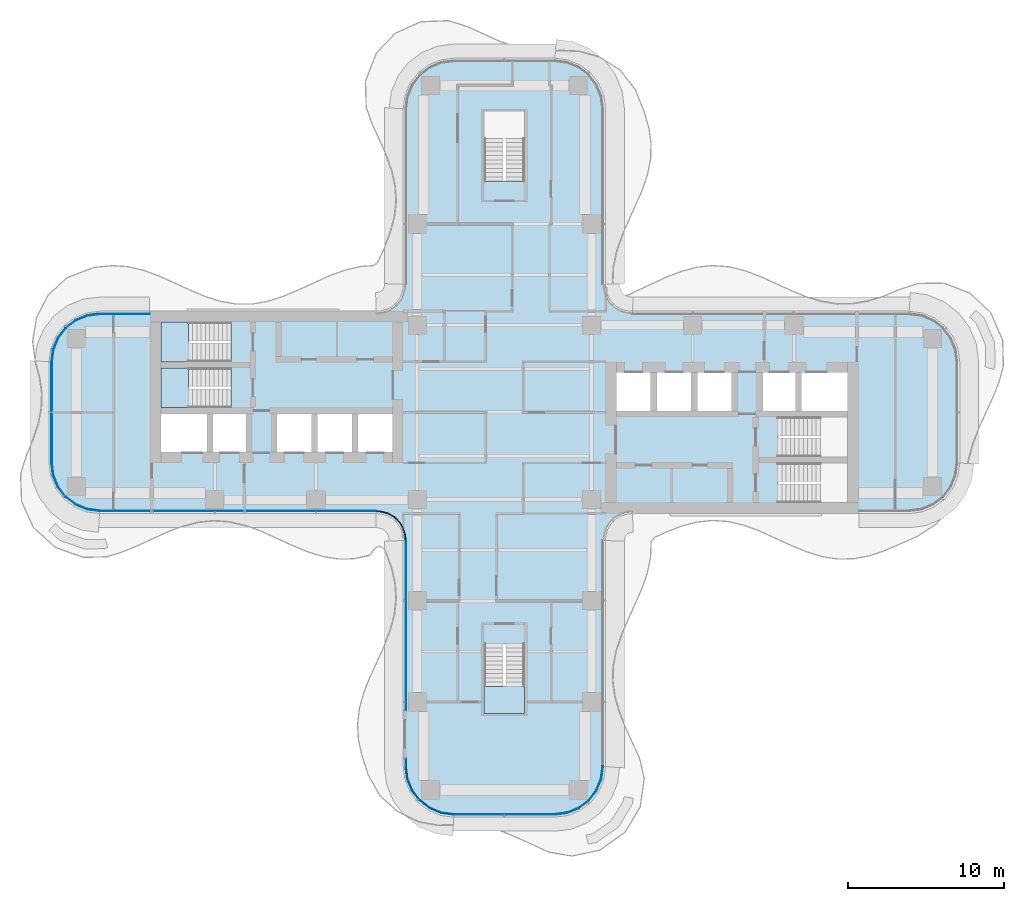
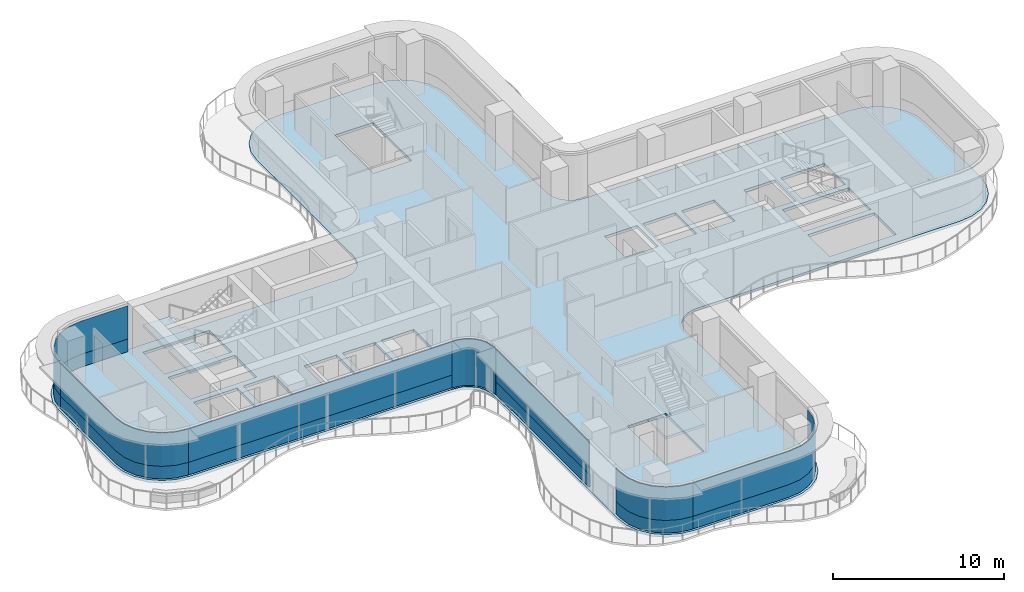
# One storey, part 9 of 17: 13 plates, 4 slabs, 10 elements without a shape of their own.
"""IFC4 building model written with IfcOpenShell, lengths in metres."""

from ifc_helpers import new_model, si_unit, direction, frame, origin, place, context, subcontext, project, spatial, polyline, outline, extrude, source, transform, mapped, material, layer, layer_set, type_object, element, aggregate, save


model = new_model("IFC4")

# Units and contexts
model_context = context("Model", 3, precision=1e-05, world=origin(), true_north=direction((0.0, 1.0)))
body_context = subcontext(model_context, "Body", "Model", "MODEL_VIEW")
ifc_project = project(units=[si_unit("LENGTHUNIT", "METRE"), si_unit("AREAUNIT", "SQUARE_METRE"), si_unit("VOLUMEUNIT", "CUBIC_METRE"), si_unit("PLANEANGLEUNIT", "RADIAN"), si_unit("MASSUNIT", "GRAM", prefix="KILO")], contexts=[model_context])

# Site, building, storey
site_placement = place(None, origin())
site = spatial("IfcSite", under=ifc_project, at=site_placement, CompositionType="ELEMENT")
building_placement = place(site_placement, origin())
building = spatial("IfcBuilding", under=site, at=building_placement, Name="Trellis Farm Tower", CompositionType="ELEMENT")
storey_placement = place(building_placement, frame((0.0, 0.0, 208.800048828125)))
storey = spatial("IfcBuildingStorey", under=building, at=storey_placement, Name="L46", CompositionType="ELEMENT", Elevation=208.800048828125)

# Curtain wall, plate
ifc_material_1 = material(Name="Aluminium and glass curtain wall", Category="aluminium")
ifc_layer_1 = layer(ifc_material_1, 0.18994140625)
ifc_layer_set_1 = layer_set([ifc_layer_1], Name="RIBBON CURTAIN WALL CW1")
curtain_wall_type_1 = type_object("IfcCurtainWallType", Name="RIBBON CURTAIN WALL CW1", PredefinedType="NOTDEFINED", material=ifc_layer_set_1)
placement_1 = place(storey_placement, origin())
curtain_wall_1 = element("IfcCurtainWall", 1, at=placement_1, inside=storey, type_object=curtain_wall_type_1, Name="CW1 002", PredefinedType="NOTDEFINED")
ifc_material_2 = material(Name="Clear insulated glass", Category="glass")
ifc_layer_2 = layer(ifc_material_2, 0.0400390625)
ifc_layer_set_2 = layer_set([ifc_layer_2], Name="CW1 GLASS PANEL 40")
plate_type_1 = type_object("IfcPlateType", Name="CW1 GLASS PANEL 40", PredefinedType="CURTAIN_PANEL", material=ifc_layer_set_2)
placement_2 = place(storey_placement, frame((0.0, 0.0, 0.89990234375)))
plate_1 = element("IfcPlate", 2, at=placement_2, type_object=plate_type_1, Name="PL1 002", PredefinedType="CURTAIN_PANEL", context=body_context, shape_type="SweptSolid", body=[
    extrude(outline(polyline([(-6.35009765625, -8.2265625), (-6.35009765625, -19.114990234375), (-6.31005859375, -19.114990234375), (-6.31005859375, -8.22509765625), (-6.35009765625, -8.2265625)])), origin(), (0.0, 0.0, 1.0), 2.3701171875),
])

curtain_wall_2 = element("IfcCurtainWall", 3, at=placement_1, inside=storey, type_object=curtain_wall_type_1, Name="CW1 003", PredefinedType="NOTDEFINED")
plate_2 = element("IfcPlate", 4, at=placement_2, type_object=plate_type_1, Name="PL1 003", PredefinedType="CURTAIN_PANEL", context=body_context, shape_type="SweptSolid", body=[
    extrude(outline(polyline([(-6.35009765625, -22.235107421875), (-6.35009765625, -22.740234375), (-6.2431640625, -23.552001953125), (-5.93359375, -24.29931640625), (-5.441162109375, -24.941162109375), (-4.79931640625, -25.43359375), (-4.052001953125, -25.7431640625), (-3.240234375, -25.85009765625), (-3.237548828125, -25.81005859375), (-4.04150390625, -25.7041015625), (-4.779296875, -25.398681640625), (-5.41259765625, -24.91259765625), (-5.898681640625, -24.279296875), (-6.2041015625, -23.54150390625), (-6.31005859375, -22.737548828125), (-6.31005859375, -22.235107421875), (-6.35009765625, -22.235107421875)])), origin(), (0.0, 0.0, 1.0), 2.3701171875),
])

curtain_wall_3 = element("IfcCurtainWall", 5, at=placement_1, inside=storey, type_object=curtain_wall_type_1, Name="CW1 004", PredefinedType="NOTDEFINED")
plate_3 = element("IfcPlate", 6, at=placement_2, type_object=plate_type_1, Name="PL1 004", PredefinedType="CURTAIN_PANEL", context=body_context, shape_type="SweptSolid", body=[
    extrude(outline(polyline([(-3.240234375, -25.85009765625), (3.240234375, -25.85009765625), (4.052001953125, -25.7431640625), (4.79931640625, -25.43359375), (5.441162109375, -24.941162109375), (5.93359375, -24.29931640625), (6.2431640625, -23.552001953125), (6.35009765625, -22.740234375), (6.31005859375, -22.737548828125), (6.2041015625, -23.54150390625), (5.898681640625, -24.279296875), (5.41259765625, -24.91259765625), (4.779296875, -25.398681640625), (4.04150390625, -25.7041015625), (3.237548828125, -25.81005859375), (-3.237548828125, -25.81005859375), (-3.240234375, -25.85009765625)])), origin(), (0.0, 0.0, 1.0), 2.3701171875),
])

# Slab
ifc_material_3 = material(Name="Concrete C40/50", Category="concrete")
ifc_layer_3 = layer(ifc_material_3, 0.199951171875)
ifc_layer_set_3 = layer_set([ifc_layer_3], Name="Composite deck floor slab 200")
slab_type_1 = type_object("IfcSlabType", Name="Composite deck floor slab 200", PredefinedType="FLOOR", material=ifc_layer_set_3)
shared_shape_1 = source(origin(), body_context, "Body", "SweptSolid", [
    extrude(outline(polyline([(-26.84130859375, -6.389404296875), (-27.625, -6.064697265625), (-28.298095703125, -5.548095703125), (-28.814697265625, -4.875), (-29.139404296875, -4.09130859375), (-29.25, -3.25), (-29.25, 3.25), (-29.139404296875, 4.09130859375), (-28.814697265625, 4.875), (-28.298095703125, 5.548095703125), (-27.625, 6.064697265625), (-26.84130859375, 6.389404296875), (-26.0, 6.5), (-8.2314453125, 6.5), (-8.01953125, 6.513916015625), (-7.91552734375, 6.527587890625), (-7.508544921875, 6.63671875), (-7.144287109375, 6.846923828125), (-6.846923828125, 7.144287109375), (-6.63671875, 7.508544921875), (-6.527587890625, 7.91552734375), (-6.513916015625, 8.01953125), (-6.5, 8.2314453125), (-6.5, 19.5), (-6.389404296875, 20.34130859375), (-6.064697265625, 21.125), (-5.548095703125, 21.798095703125), (-4.875, 22.314697265625), (-4.09130859375, 22.639404296875), (-3.25, 22.75), (3.25, 22.75), (4.09130859375, 22.639404296875), (4.875, 22.314697265625), (5.548095703125, 21.798095703125), (6.064697265625, 21.125), (6.389404296875, 20.34130859375), (6.5, 19.5), (6.5, 8.2314453125), (6.513916015625, 8.01953125), (6.527587890625, 7.91552734375), (6.63671875, 7.508544921875), (6.846923828125, 7.144287109375), (7.144287109375, 6.846923828125), (7.508544921875, 6.63671875), (7.91552734375, 6.527587890625), (8.01953125, 6.513916015625), (8.2314453125, 6.5), (26.0, 6.5), (26.84130859375, 6.389404296875), (27.625, 6.064697265625), (28.298095703125, 5.548095703125), (28.814697265625, 4.875), (29.139404296875, 4.09130859375), (29.25, 3.25), (29.25, -3.25), (29.139404296875, -4.09130859375), (28.814697265625, -4.875), (28.298095703125, -5.548095703125), (27.625, -6.064697265625), (26.84130859375, -6.389404296875), (26.0, -6.5), (8.2314453125, -6.5), (8.01953125, -6.513916015625), (7.91552734375, -6.527587890625), (7.508544921875, -6.63671875), (7.144287109375, -6.846923828125), (6.846923828125, -7.144287109375), (6.63671875, -7.508544921875), (6.527587890625, -7.91552734375), (6.513916015625, -8.01953125), (6.5, -8.2314453125), (6.5, -22.75), (6.389404296875, -23.59130859375), (6.064697265625, -24.375), (5.548095703125, -25.048095703125), (4.875, -25.564697265625), (4.09130859375, -25.889404296875), (3.25, -26.0), (-3.25, -26.0), (-4.09130859375, -25.889404296875), (-4.875, -25.564697265625), (-5.548095703125, -25.048095703125), (-6.064697265625, -24.375), (-6.389404296875, -23.59130859375), (-6.5, -22.75), (-6.5, -8.2314453125), (-6.513916015625, -8.01953125), (-6.527587890625, -7.91552734375), (-6.63671875, -7.508544921875), (-6.846923828125, -7.144287109375), (-7.144287109375, -6.846923828125), (-7.508544921875, -6.63671875), (-7.91552734375, -6.527587890625), (-8.01953125, -6.513916015625), (-8.2314453125, -6.5), (-26.0, -6.5), (-26.84130859375, -6.389404296875)]), holes=[polyline([(-22.050048828125, -0.10009765625), (-22.050048828125, -2.550048828125), (-19.10009765625, -2.550048828125), (-19.10009765625, -0.10009765625), (-22.050048828125, -0.10009765625)]), polyline([(-18.699951171875, -0.10009765625), (-18.699951171875, -2.550048828125), (-16.60009765625, -2.550048828125), (-16.60009765625, -0.10009765625), (-18.699951171875, -0.10009765625)]), polyline([(-14.60009765625, -0.10009765625), (-14.60009765625, -2.550048828125), (-12.39990234375, -2.550048828125), (-12.39990234375, -0.10009765625), (-14.60009765625, -0.10009765625)]), polyline([(-12.0, -0.10009765625), (-12.0, -2.550048828125), (-9.800048828125, -2.550048828125), (-9.800048828125, -0.10009765625), (-12.0, -0.10009765625)]), polyline([(-9.39990234375, -0.10009765625), (-9.39990234375, -2.550048828125), (-7.199951171875, -2.550048828125), (-7.199951171875, -0.10009765625), (-9.39990234375, -0.10009765625)]), polyline([(-17.56201171875, 1.64990234375), (-17.56201171875, 2.85009765625), (-22.050048828125, 2.85009765625), (-22.050048828125, 0.300048828125), (-17.56005859375, 0.300048828125), (-17.56005859375, 1.5), (-17.550048828125, 1.5), (-17.550048828125, 1.64990234375), (-17.56201171875, 1.64990234375)]), polyline([(-17.56201171875, 4.60009765625), (-17.56201171875, 5.800048828125), (-22.050048828125, 5.800048828125), (-22.050048828125, 3.25), (-17.56005859375, 3.25), (-17.56005859375, 4.449951171875), (-17.550048828125, 4.449951171875), (-17.550048828125, 4.60009765625), (-17.56201171875, 4.60009765625)]), polyline([(0.10009765625, 14.862060546875), (1.300048828125, 14.862060546875), (1.300048828125, 19.35009765625), (-1.300048828125, 19.35009765625), (-1.300048828125, 14.860107421875), (-0.10009765625, 14.860107421875), (-0.10009765625, 14.85009765625), (0.10009765625, 14.85009765625), (0.10009765625, 14.862060546875)]), polyline([(-0.10009765625, -14.862060546875), (-1.300048828125, -14.862060546875), (-1.300048828125, -19.35009765625), (1.300048828125, -19.35009765625), (1.300048828125, -14.860107421875), (0.10009765625, -14.860107421875), (0.10009765625, -14.85009765625), (-0.10009765625, -14.85009765625), (-0.10009765625, -14.862060546875)]), polyline([(17.56201171875, -4.60009765625), (17.56201171875, -5.800048828125), (22.050048828125, -5.800048828125), (22.050048828125, -3.25), (17.56005859375, -3.25), (17.56005859375, -4.449951171875), (17.550048828125, -4.449951171875), (17.550048828125, -4.60009765625), (17.56201171875, -4.60009765625)]), polyline([(17.56201171875, -1.64990234375), (17.56201171875, -2.85009765625), (22.050048828125, -2.85009765625), (22.050048828125, -0.300048828125), (17.56005859375, -0.300048828125), (17.56005859375, -1.5), (17.550048828125, -1.5), (17.550048828125, -1.64990234375), (17.56201171875, -1.64990234375)]), polyline([(9.39990234375, 0.10009765625), (9.39990234375, 2.550048828125), (7.199951171875, 2.550048828125), (7.199951171875, 0.10009765625), (9.39990234375, 0.10009765625)]), polyline([(12.0, 0.10009765625), (12.0, 2.550048828125), (9.800048828125, 2.550048828125), (9.800048828125, 0.10009765625), (12.0, 0.10009765625)]), polyline([(14.60009765625, 0.10009765625), (14.60009765625, 2.550048828125), (12.39990234375, 2.550048828125), (12.39990234375, 0.10009765625), (14.60009765625, 0.10009765625)]), polyline([(18.699951171875, 0.10009765625), (18.699951171875, 2.550048828125), (16.60009765625, 2.550048828125), (16.60009765625, 0.10009765625), (18.699951171875, 0.10009765625)]), polyline([(22.050048828125, 0.10009765625), (22.050048828125, 2.550048828125), (19.10009765625, 2.550048828125), (19.10009765625, 0.10009765625), (22.050048828125, 0.10009765625)])]), origin(), (0.0, 0.0, 1.0), 0.199951171875),
])
slab_1_placement = place(storey_placement, frame((0.0, 0.0, -0.199951171875)))
element("IfcSlab", 7, at=slab_1_placement, inside=storey, type_object=slab_type_1, Name="Floor slab", PredefinedType="FLOOR", context=body_context, shape_type="MappedRepresentation", body=[
    mapped(shared_shape_1, transform((0.0, 0.0, 0.0))),
])

# Stair, slab
ifc_material_4 = material(Name="Concrete C50/60", Category="concrete")
stair_type = type_object("IfcStairType", Name="CORE EXIT STAIR 22 RISERS 177 MM", PredefinedType="HALF_TURN_STAIR", material=ifc_material_4)
stair_1 = element("IfcStair", 8, at=placement_1, inside=storey, type_object=stair_type, Name="Exit stair S", PredefinedType="HALF_TURN_STAIR")
ifc_layer_4 = layer(ifc_material_4, 0.18994140625)
ifc_layer_set_4 = layer_set([ifc_layer_4], Name="CORE STAIR LANDING 190 CONCRETE C50/60")
slab_type_2 = type_object("IfcSlabType", Name="CORE STAIR LANDING 190 CONCRETE C50/60", PredefinedType="LANDING", material=ifc_layer_set_4)
shared_shape_2 = source(origin(), body_context, "Body", "SweptSolid", [
    extrude(outline(polyline([(1.300048828125, -19.35009765625), (-1.300048828125, -19.35009765625), (-1.300048828125, -17.60009765625), (-1.300048828125, -17.590087890625), (-0.10009765625, -17.590087890625), (-0.10009765625, -17.60009765625), (0.10009765625, -17.60009765625), (0.10009765625, -17.27197265625), (1.300048828125, -17.27197265625), (1.300048828125, -17.60009765625), (1.300048828125, -19.35009765625)])), origin(), (0.0, 0.0, 1.0), 0.18994140625),
])
placement_3 = place(storey_placement, frame((0.0, 0.0, 1.760009765625)))
slab_2 = element("IfcSlab", 9, at=placement_3, type_object=slab_type_2, Name="STS landing 1", PredefinedType="LANDING", context=body_context, shape_type="MappedRepresentation", body=[
    mapped(shared_shape_2, transform((0.0, 0.0, 0.0))),
])
aggregate(stair_1, [slab_2])

stair_2 = element("IfcStair", 10, at=placement_1, inside=storey, type_object=stair_type, Name="Exit stair W1", PredefinedType="HALF_TURN_STAIR")
shared_shape_3 = source(origin(), body_context, "Body", "SweptSolid", [
    extrude(outline(polyline([(-19.971923828125, 4.449951171875), (-19.971923828125, 3.25), (-20.300048828125, 3.25), (-22.050048828125, 3.25), (-22.050048828125, 5.800048828125), (-20.300048828125, 5.800048828125), (-20.2900390625, 5.800048828125), (-20.2900390625, 4.60009765625), (-20.300048828125, 4.60009765625), (-20.300048828125, 4.449951171875), (-19.971923828125, 4.449951171875)])), origin(), (0.0, 0.0, 1.0), 0.18994140625),
])
slab_3 = element("IfcSlab", 11, at=placement_3, type_object=slab_type_2, Name="STW1 landing 1", PredefinedType="LANDING", context=body_context, shape_type="MappedRepresentation", body=[
    mapped(shared_shape_3, transform((0.0, 0.0, 0.0))),
])
aggregate(stair_2, [slab_3])

stair_3 = element("IfcStair", 12, at=placement_1, inside=storey, type_object=stair_type, Name="Exit stair W2", PredefinedType="HALF_TURN_STAIR")
shared_shape_4 = source(origin(), body_context, "Body", "SweptSolid", [
    extrude(outline(polyline([(-19.971923828125, 1.5), (-19.971923828125, 0.300048828125), (-20.300048828125, 0.300048828125), (-22.050048828125, 0.300048828125), (-22.050048828125, 2.85009765625), (-20.300048828125, 2.85009765625), (-20.2900390625, 2.85009765625), (-20.2900390625, 1.64990234375), (-20.300048828125, 1.64990234375), (-20.300048828125, 1.5), (-19.971923828125, 1.5)])), origin(), (0.0, 0.0, 1.0), 0.18994140625),
])
slab_4 = element("IfcSlab", 13, at=placement_3, type_object=slab_type_2, Name="STW2 landing 1", PredefinedType="LANDING", context=body_context, shape_type="MappedRepresentation", body=[
    mapped(shared_shape_4, transform((0.0, 0.0, 0.0))),
])
aggregate(stair_3, [slab_4])

# Plate
ifc_material_5 = material(Name="Sandstone faced insulated panel", Category="masonry")
ifc_layer_5 = layer(ifc_material_5, 0.050048828125)
ifc_layer_set_5 = layer_set([ifc_layer_5], Name="CW1 STONE SPANDREL PANEL 50")
plate_type_2 = type_object("IfcPlateType", Name="CW1 STONE SPANDREL PANEL 50", PredefinedType="CURTAIN_PANEL", material=ifc_layer_set_5)
shared_shape_5 = source(origin(), body_context, "Body", "SweptSolid", [
    extrude(outline(polyline([(-3.240234375, -25.85009765625), (3.240234375, -25.85009765625), (4.052001953125, -25.7431640625), (4.79931640625, -25.43359375), (5.441162109375, -24.941162109375), (5.93359375, -24.29931640625), (6.2431640625, -23.552001953125), (6.35009765625, -22.740234375), (6.300048828125, -22.73681640625), (6.1943359375, -23.5390625), (5.889892578125, -24.274169921875), (5.405517578125, -24.905517578125), (4.774169921875, -25.389892578125), (4.0390625, -25.6943359375), (3.23681640625, -25.800048828125), (-3.23681640625, -25.800048828125), (-3.240234375, -25.85009765625)])), origin(), (0.0, 0.0, 1.0), 0.89990234375),
])
plate_4 = element("IfcPlate", 14, at=placement_1, type_object=plate_type_2, Name="PS1 004", PredefinedType="CURTAIN_PANEL", context=body_context, shape_type="MappedRepresentation", body=[
    mapped(shared_shape_5, transform((0.0, 0.0, 0.0))),
])

aggregate(curtain_wall_3, [plate_3, plate_4])

shared_shape_6 = source(origin(), body_context, "Body", "SweptSolid", [
    extrude(outline(polyline([(-6.35009765625, -8.2265625), (-6.35009765625, -19.114990234375), (-6.300048828125, -19.114990234375), (-6.300048828125, -8.224853515625), (-6.35009765625, -8.2265625)])), origin(), (0.0, 0.0, 1.0), 0.89990234375),
])
plate_5 = element("IfcPlate", 15, at=placement_1, type_object=plate_type_2, Name="PS1 002", PredefinedType="CURTAIN_PANEL", context=body_context, shape_type="MappedRepresentation", body=[
    mapped(shared_shape_6, transform((0.0, 0.0, 0.0))),
])

aggregate(curtain_wall_1, [plate_1, plate_5])

shared_shape_7 = source(origin(), body_context, "Body", "SweptSolid", [
    extrude(outline(polyline([(-6.35009765625, -22.235107421875), (-6.35009765625, -22.740234375), (-6.2431640625, -23.552001953125), (-5.93359375, -24.29931640625), (-5.441162109375, -24.941162109375), (-4.79931640625, -25.43359375), (-4.052001953125, -25.7431640625), (-3.240234375, -25.85009765625), (-3.23681640625, -25.800048828125), (-4.0390625, -25.6943359375), (-4.774169921875, -25.389892578125), (-5.405517578125, -24.905517578125), (-5.889892578125, -24.274169921875), (-6.1943359375, -23.5390625), (-6.300048828125, -22.73681640625), (-6.300048828125, -22.235107421875), (-6.35009765625, -22.235107421875)])), origin(), (0.0, 0.0, 1.0), 0.89990234375),
])
plate_6 = element("IfcPlate", 16, at=placement_1, type_object=plate_type_2, Name="PS1 003", PredefinedType="CURTAIN_PANEL", context=body_context, shape_type="MappedRepresentation", body=[
    mapped(shared_shape_7, transform((0.0, 0.0, 0.0))),
])

aggregate(curtain_wall_2, [plate_2, plate_6])

# Curtain wall, plate
curtain_wall_4 = element("IfcCurtainWall", 17, at=placement_1, inside=storey, type_object=curtain_wall_type_1, Name="CW1 001", PredefinedType="NOTDEFINED")
shared_shape_8 = source(origin(), body_context, "Body", "SweptSolid", [
    extrude(outline(polyline([(-25.990234375, -6.35009765625), (-8.2265625, -6.35009765625), (-8.224853515625, -6.300048828125), (-25.98681640625, -6.300048828125), (-25.990234375, -6.35009765625)])), origin(), (0.0, 0.0, 1.0), 0.89990234375),
])
plate_7 = element("IfcPlate", 18, at=placement_1, type_object=plate_type_2, Name="PS1 001", PredefinedType="CURTAIN_PANEL", context=body_context, shape_type="MappedRepresentation", body=[
    mapped(shared_shape_8, transform((0.0, 0.0, 0.0))),
])

curtain_wall_5 = element("IfcCurtainWall", 19, at=placement_1, inside=storey, type_object=curtain_wall_type_1, Name="CW1 012", PredefinedType="NOTDEFINED")
shared_shape_9 = source(origin(), body_context, "Body", "SweptSolid", [
    extrude(outline(polyline([(-22.780029296875, 6.35009765625), (-25.990234375, 6.35009765625), (-26.802001953125, 6.2431640625), (-27.54931640625, 5.93359375), (-28.191162109375, 5.441162109375), (-28.68359375, 4.79931640625), (-28.9931640625, 4.052001953125), (-29.10009765625, 3.240234375), (-29.050048828125, 3.23681640625), (-28.9443359375, 4.0390625), (-28.639892578125, 4.774169921875), (-28.155517578125, 5.405517578125), (-27.524169921875, 5.889892578125), (-26.7890625, 6.1943359375), (-25.98681640625, 6.300048828125), (-22.780029296875, 6.300048828125), (-22.780029296875, 6.35009765625)])), origin(), (0.0, 0.0, 1.0), 0.89990234375),
])
plate_8 = element("IfcPlate", 20, at=placement_1, type_object=plate_type_2, Name="PS1 012", PredefinedType="CURTAIN_PANEL", context=body_context, shape_type="MappedRepresentation", body=[
    mapped(shared_shape_9, transform((0.0, 0.0, 0.0))),
])

curtain_wall_6 = element("IfcCurtainWall", 21, at=placement_1, inside=storey, type_object=curtain_wall_type_1, Name="CW1 013", PredefinedType="NOTDEFINED")
shared_shape_10 = source(origin(), body_context, "Body", "SweptSolid", [
    extrude(outline(polyline([(-29.10009765625, 3.240234375), (-29.10009765625, -3.240234375), (-28.9931640625, -4.052001953125), (-28.68359375, -4.79931640625), (-28.191162109375, -5.441162109375), (-27.54931640625, -5.93359375), (-26.802001953125, -6.2431640625), (-25.990234375, -6.35009765625), (-25.98681640625, -6.300048828125), (-26.7890625, -6.1943359375), (-27.524169921875, -5.889892578125), (-28.155517578125, -5.405517578125), (-28.639892578125, -4.774169921875), (-28.9443359375, -4.0390625), (-29.050048828125, -3.23681640625), (-29.050048828125, 3.23681640625), (-29.10009765625, 3.240234375)])), origin(), (0.0, 0.0, 1.0), 0.89990234375),
])
plate_9 = element("IfcPlate", 22, at=placement_1, type_object=plate_type_2, Name="PS1 013", PredefinedType="CURTAIN_PANEL", context=body_context, shape_type="MappedRepresentation", body=[
    mapped(shared_shape_10, transform((0.0, 0.0, 0.0))),
])

# Plate
shared_shape_11 = source(origin(), body_context, "Body", "SweptSolid", [
    extrude(outline(polyline([(-25.990234375, -6.35009765625), (-8.2265625, -6.35009765625), (-8.22509765625, -6.31005859375), (-25.987548828125, -6.31005859375), (-25.990234375, -6.35009765625)])), origin(), (0.0, 0.0, 1.0), 2.3701171875),
])
plate_10 = element("IfcPlate", 23, at=placement_2, type_object=plate_type_1, Name="PL1 001", PredefinedType="CURTAIN_PANEL", context=body_context, shape_type="MappedRepresentation", body=[
    mapped(shared_shape_11, transform((0.0, 0.0, 0.0))),
])

aggregate(curtain_wall_4, [plate_10, plate_7])

# Curtain wall, plate
ifc_layer_6 = layer(ifc_material_1, 0.166015625)
ifc_layer_set_6 = layer_set([ifc_layer_6], Name="WINTER GARDEN CURTAIN WALL CW3")
curtain_wall_type_2 = type_object("IfcCurtainWallType", Name="WINTER GARDEN CURTAIN WALL CW3", PredefinedType="NOTDEFINED", material=ifc_layer_set_6)
curtain_wall_7 = element("IfcCurtainWall", 24, at=placement_1, inside=storey, type_object=curtain_wall_type_2, Name="CW3 001", PredefinedType="NOTDEFINED")
ifc_layer_7 = layer(ifc_material_2, 0.0458984375)
ifc_layer_set_7 = layer_set([ifc_layer_7], Name="CW3 GLASS PANEL 46")
plate_type_3 = type_object("IfcPlateType", Name="CW3 GLASS PANEL 46", PredefinedType="CURTAIN_PANEL", material=ifc_layer_set_7)
shared_shape_12 = source(origin(), body_context, "Body", "SweptSolid", [
    extrude(outline(polyline([(-8.2275390625, -6.3798828125), (-8.0078125, -6.394287109375), (-7.89208984375, -6.40966796875), (-7.462158203125, -6.52490234375), (-7.070556640625, -6.7509765625), (-6.7509765625, -7.070556640625), (-6.52490234375, -7.462158203125), (-6.40966796875, -7.89208984375), (-6.394287109375, -8.0078125), (-6.3798828125, -8.2275390625), (-6.333984375, -8.22607421875), (-6.3486328125, -8.003173828125), (-6.364501953125, -7.883056640625), (-6.48193359375, -7.4443359375), (-6.714111328125, -7.04248046875), (-7.04248046875, -6.714111328125), (-7.4443359375, -6.48193359375), (-7.883056640625, -6.364501953125), (-8.003173828125, -6.3486328125), (-8.22607421875, -6.333984375), (-8.2275390625, -6.3798828125)])), origin(), (0.0, 0.0, 1.0), 3.300048828125),
])
plate_11 = element("IfcPlate", 25, at=placement_1, type_object=plate_type_3, Name="PL3 001", PredefinedType="CURTAIN_PANEL", context=body_context, shape_type="MappedRepresentation", body=[
    mapped(shared_shape_12, transform((0.0, 0.0, 0.0))),
])
aggregate(curtain_wall_7, [plate_11])

# Plate
shared_shape_13 = source(origin(), body_context, "Body", "SweptSolid", [
    extrude(outline(polyline([(-22.780029296875, 6.35009765625), (-25.990234375, 6.35009765625), (-26.802001953125, 6.2431640625), (-27.54931640625, 5.93359375), (-28.191162109375, 5.441162109375), (-28.68359375, 4.79931640625), (-28.9931640625, 4.052001953125), (-29.10009765625, 3.240234375), (-29.06005859375, 3.237548828125), (-28.9541015625, 4.04150390625), (-28.648681640625, 4.779296875), (-28.16259765625, 5.41259765625), (-27.529296875, 5.898681640625), (-26.79150390625, 6.2041015625), (-25.987548828125, 6.31005859375), (-22.780029296875, 6.31005859375), (-22.780029296875, 6.35009765625)])), origin(), (0.0, 0.0, 1.0), 2.3701171875),
])
plate_12 = element("IfcPlate", 26, at=placement_2, type_object=plate_type_1, Name="PL1 012", PredefinedType="CURTAIN_PANEL", context=body_context, shape_type="MappedRepresentation", body=[
    mapped(shared_shape_13, transform((0.0, 0.0, 0.0))),
])

aggregate(curtain_wall_5, [plate_12, plate_8])

shared_shape_14 = source(origin(), body_context, "Body", "SweptSolid", [
    extrude(outline(polyline([(-29.10009765625, 3.240234375), (-29.10009765625, -3.240234375), (-28.9931640625, -4.052001953125), (-28.68359375, -4.79931640625), (-28.191162109375, -5.441162109375), (-27.54931640625, -5.93359375), (-26.802001953125, -6.2431640625), (-25.990234375, -6.35009765625), (-25.987548828125, -6.31005859375), (-26.79150390625, -6.2041015625), (-27.529296875, -5.898681640625), (-28.16259765625, -5.41259765625), (-28.648681640625, -4.779296875), (-28.9541015625, -4.04150390625), (-29.06005859375, -3.237548828125), (-29.06005859375, 3.237548828125), (-29.10009765625, 3.240234375)])), origin(), (0.0, 0.0, 1.0), 2.3701171875),
])
plate_13 = element("IfcPlate", 27, at=placement_2, type_object=plate_type_1, Name="PL1 013", PredefinedType="CURTAIN_PANEL", context=body_context, shape_type="MappedRepresentation", body=[
    mapped(shared_shape_14, transform((0.0, 0.0, 0.0))),
])

aggregate(curtain_wall_6, [plate_13, plate_9])

save(model, "model.ifc")
